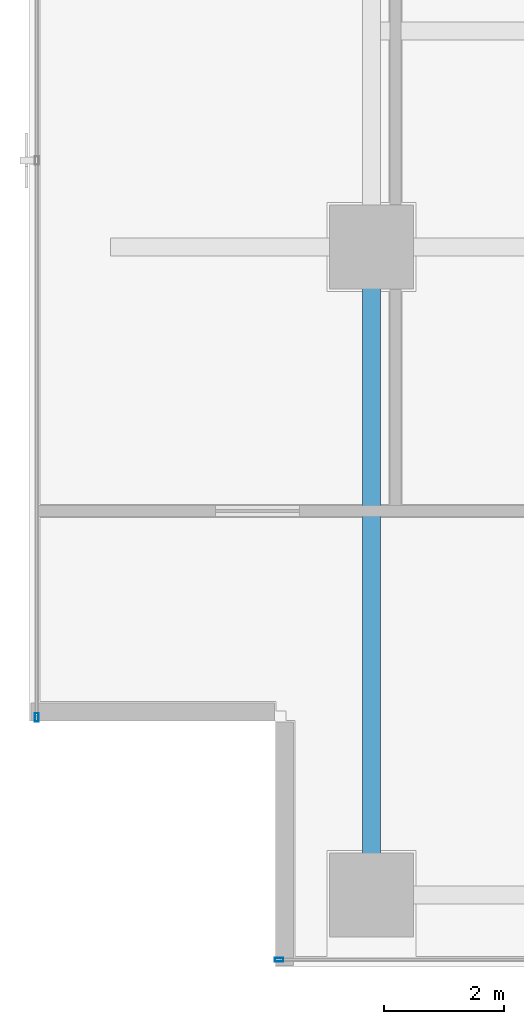
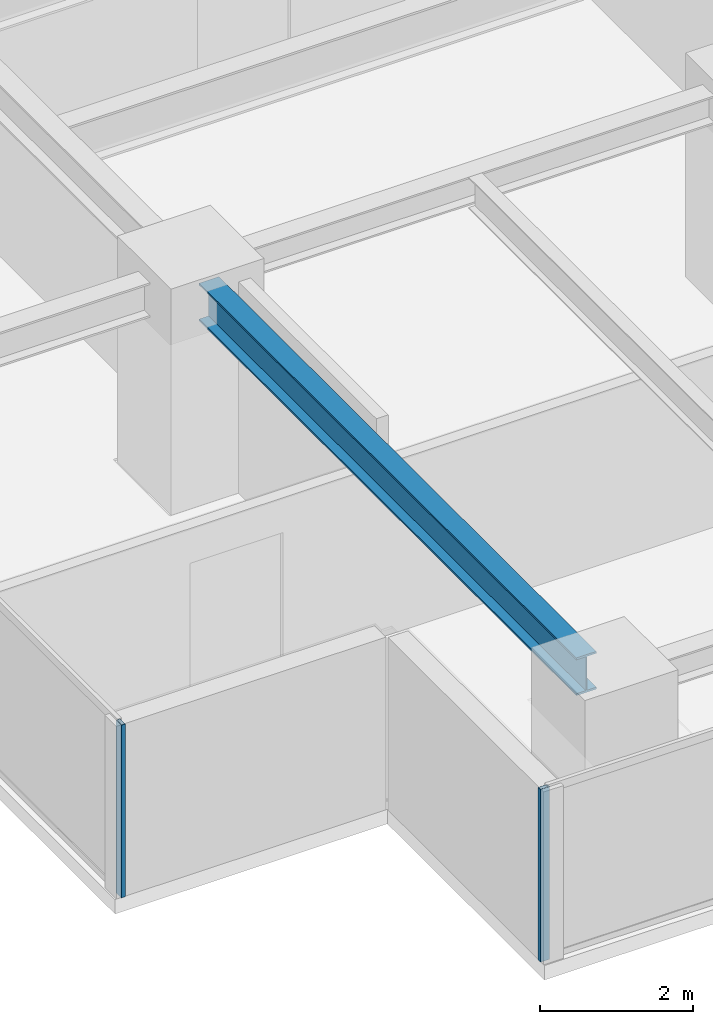
# One storey, part 2 of 25: 2 members, 1 beam, 2 elements without a shape of their own.
"""IFC4 building model written with IfcOpenShell, lengths in metres."""

import ifcopenshell
import ifcopenshell.guid

model = None  # the IFC model being written
_history = None  # IfcOwnerHistory: only IFC2X3 demands one
_inside = {}  # id of a spatial element -> (the spatial element, [elements in it])
_under = {}  # id of a project, library or spatial element -> (it, [spatial elements below it])
_declared = {}  # id of a project -> (the project, [libraries it declares])
_typed = {}  # id of a type object -> (the type object, [elements of that type])
_made_of = {}  # id of a material, layer set ... -> (it, [elements and type objects made of it])


def new_model(schema):
    """Start an empty IFC model of exactly this schema.

    Asked for "IFC4X3", IfcOpenShell would pick the latest addendum, in which some entities
    have other attributes; the version numbers below select the first issue.
    IFC2X3 requires an IfcOwnerHistory on every rooted entity: one is made here for all.
    """
    global model, _history
    if schema == "IFC4X3":
        model = ifcopenshell.file(schema_version=(4, 3, 0, 0))
    else:
        model = ifcopenshell.file(schema=schema)
    _inside.clear()
    _under.clear()
    _declared.clear()
    _typed.clear()
    _made_of.clear()
    _history = None
    if model.schema == "IFC2X3":
        org = make("IfcOrganization", Name="unknown")
        user = make(
            "IfcPersonAndOrganization",
            ThePerson=make("IfcPerson", FamilyName="unknown"),
            TheOrganization=org,
        )
        app = make(
            "IfcApplication",
            ApplicationDeveloper=org,
            Version="unknown",
            ApplicationFullName="unknown",
            ApplicationIdentifier="unknown",
        )
        _history = make(
            "IfcOwnerHistory",
            OwningUser=user,
            OwningApplication=app,
            ChangeAction="ADDED",
            CreationDate=0,
        )
    return model


def make(cls, **values):
    """One entity of the class cls with the attributes given. An attribute that is None is left unset."""
    return model.create_entity(
        cls, **{name: value for name, value in values.items() if value is not None}
    )


def rooted(cls, **values):
    """An entity with a GlobalId (a new one), such as an element, a storey or a relation."""
    return make(cls, GlobalId=ifcopenshell.guid.new(), OwnerHistory=_history, **values)


def si_unit(unit_type, name, prefix=None):
    """IfcSIUnit, for example si_unit("LENGTHUNIT", "METRE", prefix="MILLI")."""
    return make("IfcSIUnit", UnitType=unit_type, Prefix=prefix, Name=name)


def assignment(units):
    """IfcUnitAssignment: the units of a project."""
    return None if units is None else make("IfcUnitAssignment", Units=units)


def point(xyz):
    """IfcCartesianPoint."""
    return None if xyz is None else make("IfcCartesianPoint", Coordinates=xyz)


def direction(xyz):
    """IfcDirection."""
    return None if xyz is None else make("IfcDirection", DirectionRatios=xyz)


def frame(location, z_axis=None, x_axis=None):
    """IfcAxis2Placement3D, a coordinate frame: its origin and axes. An axis left out is left unset."""
    return make(
        "IfcAxis2Placement3D",
        Location=point(location),
        Axis=direction(z_axis),
        RefDirection=direction(x_axis),
    )


def frame_2d(location, x_axis=None):
    """IfcAxis2Placement2D, a coordinate frame in the plane: its origin and x axis."""
    return make(
        "IfcAxis2Placement2D", Location=point(location), RefDirection=direction(x_axis)
    )


def origin():
    """The frame at (0, 0, 0) with its axes left unset."""
    return frame((0.0, 0.0, 0.0))


def origin_2d():
    """The frame at (0, 0) in the plane with its x axis left unset."""
    return frame_2d((0.0, 0.0))


def place(relative_to, where):
    """IfcLocalPlacement: puts the frame where relative to a parent placement (None: the world)."""
    return make(
        "IfcLocalPlacement", PlacementRelTo=relative_to, RelativePlacement=where
    )


def context(
    kind, dimensions, precision=None, world=None, true_north=None, identifier=None
):
    """IfcGeometricRepresentationContext, for example the 3D "Model" context."""
    return make(
        "IfcGeometricRepresentationContext",
        ContextIdentifier=identifier,
        ContextType=kind,
        CoordinateSpaceDimension=dimensions,
        Precision=precision,
        WorldCoordinateSystem=world,
        TrueNorth=true_north,
    )


def subcontext(parent, identifier, kind, view, scale=None):
    """IfcGeometricRepresentationSubContext, for example "Body" below "Model"."""
    return make(
        "IfcGeometricRepresentationSubContext",
        ContextIdentifier=identifier,
        ContextType=kind,
        ParentContext=parent,
        TargetScale=scale,
        TargetView=view,
    )


def project(units=None, contexts=None):
    """IfcProject with its units and contexts."""
    return rooted(
        "IfcProject",
        Name="project",
        RepresentationContexts=contexts,
        UnitsInContext=assignment(units),
    )


def spatial(cls, under=None, at=None, **own):
    """A site, building, storey or space (cls), placed at a placement, below another one or the project."""
    s = rooted(cls, ObjectPlacement=at, **own)
    if under is not None:
        _under.setdefault(under.id(), (under, []))[1].append(s)
    return s


def profile(cls, at=None, kind="AREA", **sizes):
    """A parametric profile (cls). Its sizes go by their IFC names, for example OverallWidth=200.0."""
    return make(cls, ProfileType=kind, Position=at, **sizes)


def hollow_rectangle(**sizes):
    """IfcRectangleHollowProfileDef."""
    return profile("IfcRectangleHollowProfileDef", **sizes)


def i_section(**sizes):
    """IfcIShapeProfileDef."""
    return profile("IfcIShapeProfileDef", **sizes)


def extrude(swept, where, along, depth):
    """IfcExtrudedAreaSolid: the profile swept, set in the frame where, extruded along a direction by depth."""
    return make(
        "IfcExtrudedAreaSolid",
        SweptArea=swept,
        Position=where,
        ExtrudedDirection=direction(along),
        Depth=depth,
    )


def shape(context_of_items, identifier, shape_type, items):
    """IfcShapeRepresentation: the items that make up one representation, for example the "Body"."""
    return make(
        "IfcShapeRepresentation",
        ContextOfItems=context_of_items,
        RepresentationIdentifier=identifier,
        RepresentationType=shape_type,
        Items=items,
    )


def source(mapping_origin, context_of_items, identifier, shape_type, items):
    """IfcRepresentationMap: a shape defined once, which mapped items show again and again."""
    return make(
        "IfcRepresentationMap",
        MappingOrigin=mapping_origin,
        MappedRepresentation=shape(context_of_items, identifier, shape_type, items),
    )


def transform(
    local_origin,
    x_axis=None,
    y_axis=None,
    z_axis=None,
    scale=None,
    scale2=None,
    scale3=None,
    uniform=True,
):
    """IfcCartesianTransformationOperator3D, or its non-uniform kind. x_axis, y_axis, z_axis: its Axis1, 2, 3."""
    if uniform:
        return make(
            "IfcCartesianTransformationOperator3D",
            Axis1=direction(x_axis),
            Axis2=direction(y_axis),
            LocalOrigin=point(local_origin),
            Scale=scale,
            Axis3=direction(z_axis),
        )
    return make(
        "IfcCartesianTransformationOperator3DnonUniform",
        Axis1=direction(x_axis),
        Axis2=direction(y_axis),
        LocalOrigin=point(local_origin),
        Scale=scale,
        Axis3=direction(z_axis),
        Scale2=scale2,
        Scale3=scale3,
    )


def mapped(mapping_source, mapping_target):
    """IfcMappedItem: shows the shape of a source again, moved by a transform."""
    return make(
        "IfcMappedItem", MappingSource=mapping_source, MappingTarget=mapping_target
    )


def material(Name=None, Category=None):
    """IfcMaterial."""
    return make("IfcMaterial", Name=Name, Category=Category)


def layer(
    of_material, thickness, ventilated=None, Name=None, Category=None, Priority=None
):
    """IfcMaterialLayer: one layer of a wall or slab, of a material (None: an air gap)."""
    return make(
        "IfcMaterialLayer",
        Material=of_material,
        LayerThickness=thickness,
        IsVentilated=ventilated,
        Name=Name,
        Category=Category,
        Priority=Priority,
    )


def layer_set(layers, Name=None):
    """IfcMaterialLayerSet."""
    return make("IfcMaterialLayerSet", MaterialLayers=layers, LayerSetName=Name)


def material_profile(
    of_material, cross_section, Name=None, Category=None, Priority=None
):
    """IfcMaterialProfile: a cross section and its material."""
    return make(
        "IfcMaterialProfile",
        Name=Name,
        Material=of_material,
        Profile=cross_section,
        Priority=Priority,
        Category=Category,
    )


def profile_set(profiles, Name=None, composite=None):
    """IfcMaterialProfileSet."""
    return make(
        "IfcMaterialProfileSet",
        Name=Name,
        MaterialProfiles=profiles,
        CompositeProfile=composite,
    )


def made_of(thing, what):
    """Note that an element or type object is made of a material, layer set ...; save() writes the relation."""
    if what is not None:
        _made_of.setdefault(what.id(), (what, []))[1].append(thing)
    return thing


def type_object(cls, material=None, **own):
    """A type object (cls), such as IfcWallType, which elements share."""
    return made_of(rooted(cls, **own), material)


def element(
    cls,
    number,
    at=None,
    inside=None,
    cuts=None,
    type_object=None,
    material=None,
    context=None,
    identifier="Body",
    shape_type=None,
    held_by="IfcProductDefinitionShape",
    body=None,
    shapes=None,
    **own,
):
    """One element of the class cls, such as IfcWall. Its Tag is "e" and its number.

    at: its placement. inside: the storey or other place that contains it. cuts: it is an
    opening in that element (IfcRelVoidsElement). A single representation is given by context,
    identifier, shape_type and body (its items); several are given by shapes. held_by: the class
    of the entity that holds the representations. save() writes the other relations.
    """
    e = rooted(cls, Tag="e%d" % number, ObjectPlacement=at, **own)
    if body is not None:
        shapes = [shape(context, identifier, shape_type, body)]
    if shapes is not None:
        e.Representation = make(held_by, Representations=shapes)
    if inside is not None:
        _inside.setdefault(inside.id(), (inside, []))[1].append(e)
    if cuts is not None:
        rooted(
            "IfcRelVoidsElement", RelatingBuildingElement=cuts, RelatedOpeningElement=e
        )
    if type_object is not None:
        _typed.setdefault(type_object.id(), (type_object, []))[1].append(e)
    return made_of(e, material)


def aggregate(whole, parts):
    """IfcRelAggregates: a whole, such as a stair, and the parts it consists of."""
    return rooted("IfcRelAggregates", RelatingObject=whole, RelatedObjects=parts)


def save(model, path):
    """Write the relations noted so far, then the file.

    IfcRelAggregates (storeys below a building ...), IfcRelContainedInSpatialStructure (elements
    in a storey), IfcRelDefinesByType, IfcRelAssociatesMaterial and IfcRelDeclares: one each for
    every whole, place, type object, material and project.
    """
    for whole, parts in _under.values():
        aggregate(whole, parts)
    for where, things in _inside.values():
        rooted(
            "IfcRelContainedInSpatialStructure",
            RelatedElements=things,
            RelatingStructure=where,
        )
    for kind, things in _typed.values():
        rooted("IfcRelDefinesByType", RelatedObjects=things, RelatingType=kind)
    for what, things in _made_of.values():
        rooted("IfcRelAssociatesMaterial", RelatedObjects=things, RelatingMaterial=what)
    for by, libraries in _declared.values():
        rooted("IfcRelDeclares", RelatingContext=by, RelatedDefinitions=libraries)
    model.write(path)


model = new_model("IFC4")

# Units and contexts
model_context = context("Model", 3, precision=1e-05, world=origin(), true_north=direction((0.0, 1.0)))
body_context = subcontext(model_context, "Body", "Model", "MODEL_VIEW")
ifc_project = project(units=[si_unit("LENGTHUNIT", "METRE"), si_unit("AREAUNIT", "SQUARE_METRE"), si_unit("VOLUMEUNIT", "CUBIC_METRE"), si_unit("PLANEANGLEUNIT", "RADIAN"), si_unit("MASSUNIT", "GRAM", prefix="KILO")], contexts=[model_context])

# Site, building, storey
site_placement = place(None, origin())
site = spatial("IfcSite", under=ifc_project, at=site_placement, CompositionType="ELEMENT")
building_placement = place(site_placement, origin())
building = spatial("IfcBuilding", under=site, at=building_placement, Name="Sumidabori Civic Tower", CompositionType="ELEMENT")
storey_placement = place(building_placement, frame((0.0, 0.0, 268.39990234375)))
storey = spatial("IfcBuildingStorey", under=building, at=storey_placement, Name="L70", CompositionType="ELEMENT", Elevation=268.39990234375)

# Beam
ifc_material_1 = material(Name="Steel SN490", Category="steel")
ifc_material_profile_1 = material_profile(ifc_material_1, i_section(OverallWidth=0.300048828125, OverallDepth=0.60009765625, WebThickness=0.015380859375, FlangeThickness=0.030029296875, at=origin_2d()), Name="HE 600 B")
ifc_profile_set_1 = profile_set([ifc_material_profile_1], Name="Steel SN490")
beam_type = type_object("IfcBeamType", Name="BM-GIRD-600", PredefinedType="BEAM", material=ifc_profile_set_1)
shared_shape_1 = source(origin(), body_context, "Body", "SweptSolid", [
    extrude(i_section(OverallWidth=0.300048828125, OverallDepth=0.60009765625, WebThickness=0.015380859375, FlangeThickness=0.030029296875, at=origin_2d()), origin(), (0.0, 0.0, 1.0), 9.840087890625),
])
beam_placement = place(storey_placement, frame((-16.800048828125, -10.320068359375, 3.070068359375), z_axis=(0.0, 1.0, 0.0), x_axis=(-1.0, 0.0, 0.0)))
element("IfcBeam", 1, at=beam_placement, inside=storey, type_object=beam_type, Name="Primary Girder L70 GY-09", PredefinedType="BEAM", context=body_context, shape_type="MappedRepresentation", body=[
    mapped(shared_shape_1, transform((0.0, 0.0, 0.0), x_axis=(1.0, 0.0, 0.0), y_axis=(0.0, 1.0, 0.0), z_axis=(0.0, 0.0, 1.0), scale=1.0)),
])

# Curtain wall, member
ifc_material_2 = material(Name="Anodised Bronze Aluminium AW-6063-T6", Category="aluminium")
ifc_layer = layer(ifc_material_2, 0.179931640625, Name="Anodised Bronze Aluminium AW-6063-T6")
ifc_layer_set = layer_set([ifc_layer], Name="Anodised Bronze Aluminium AW-6063-T6")
curtain_wall_type = type_object("IfcCurtainWallType", Name="CW-SYS-5", PredefinedType="NOTDEFINED", material=ifc_layer_set)
curtain_wall_1_placement = place(storey_placement, origin())
curtain_wall_1 = element("IfcCurtainWall", 2, at=curtain_wall_1_placement, inside=storey, type_object=curtain_wall_type, Name="Curtain Wall CW:L70:R01", PredefinedType="NOTDEFINED")
ifc_material_profile_2 = material_profile(ifc_material_2, hollow_rectangle(XDim=0.06005859375, YDim=0.139892578125, WallThickness=0.0048828125, at=origin_2d()), Name="ALU MULLION 140x60")
ifc_profile_set_2 = profile_set([ifc_material_profile_2], Name="Anodised Bronze Aluminium AW-6063-T6")
member_type = type_object("IfcMemberType", Name="CW-MUL-140", PredefinedType="MULLION", material=ifc_profile_set_2)
shared_shape_2 = source(origin(), body_context, "Body", "SweptSolid", [
    extrude(hollow_rectangle(XDim=0.06005859375, YDim=0.139892578125, WallThickness=0.0048828125, at=origin_2d()), origin(), (0.0, 0.0, 1.0), 2.75),
])
member_1_placement = place(storey_placement, frame((-18.340087890625, -11.8798828125, 0.0), z_axis=(0.0, 0.0, 1.0), x_axis=(0.0, 1.0, 0.0)))
member_1 = element("IfcMember", 3, at=member_1_placement, type_object=member_type, Name="CW-5 mullion 1", PredefinedType="MULLION", context=body_context, shape_type="MappedRepresentation", body=[
    mapped(shared_shape_2, transform((0.0, 0.0, 0.0), x_axis=(1.0, 0.0, 0.0), y_axis=(0.0, 1.0, 0.0), z_axis=(0.0, 0.0, 1.0), scale=1.0)),
])
aggregate(curtain_wall_1, [member_1])

curtain_wall_2_placement = place(storey_placement, origin())
curtain_wall_2 = element("IfcCurtainWall", 4, at=curtain_wall_2_placement, inside=storey, type_object=curtain_wall_type, Name="Curtain Wall CW:L70:R10", PredefinedType="NOTDEFINED")
member_2_placement = place(storey_placement, frame((-22.3798828125, -7.840087890625, 0.0), z_axis=(0.0, 0.0, 1.0), x_axis=(1.0, 0.0, 0.0)))
member_2 = element("IfcMember", 5, at=member_2_placement, type_object=member_type, Name="CW-5 mullion 4", PredefinedType="MULLION", context=body_context, shape_type="MappedRepresentation", body=[
    mapped(shared_shape_2, transform((0.0, 0.0, 0.0), x_axis=(1.0, 0.0, 0.0), y_axis=(0.0, 1.0, 0.0), z_axis=(0.0, 0.0, 1.0), scale=1.0)),
])
aggregate(curtain_wall_2, [member_2])

save(model, "model.ifc")
